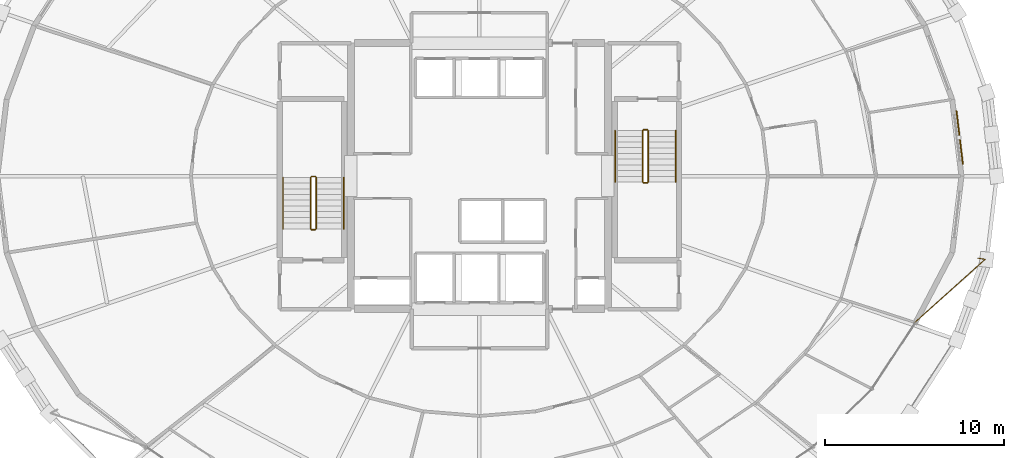
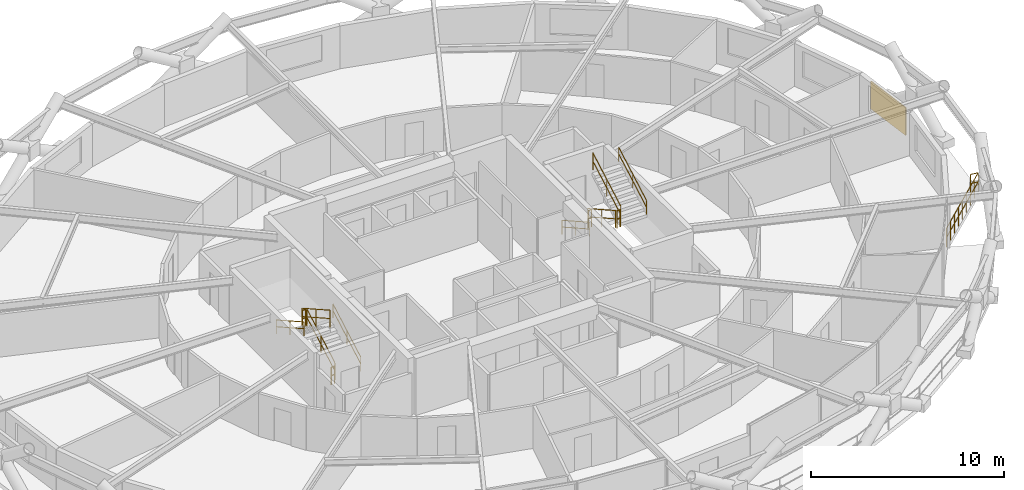
# One storey, part 21 of 21: 13 railings, 1 shading device.
"""IFC4 building model written with IfcOpenShell, lengths in metres."""

from ifc_helpers import new_model, si_unit, direction, frame, origin, origin_2d, place, context, subcontext, project, spatial, rectangle, circle, extrude, material, layer, layer_set, type_object, element, save


model = new_model("IFC4")

# Units and contexts
model_context = context("Model", 3, precision=1e-05, world=origin(), true_north=direction((0.0, 1.0)))
body_context = subcontext(model_context, "Body", "Model", "MODEL_VIEW")
ifc_project = project(units=[si_unit("LENGTHUNIT", "METRE"), si_unit("AREAUNIT", "SQUARE_METRE"), si_unit("VOLUMEUNIT", "CUBIC_METRE"), si_unit("PLANEANGLEUNIT", "RADIAN"), si_unit("MASSUNIT", "GRAM", prefix="KILO")], contexts=[model_context])

# Site, building, storey
site_placement = place(None, origin())
site = spatial("IfcSite", under=ifc_project, at=site_placement, CompositionType="ELEMENT")
building_placement = place(site_placement, origin())
building = spatial("IfcBuilding", under=site, at=building_placement, Name="Veldorina Hangang Commons", CompositionType="ELEMENT")
storey_placement = place(building_placement, frame((0.0, 0.0, 73.60009765625)))
storey = spatial("IfcBuildingStorey", under=building, at=storey_placement, Name="L18", CompositionType="ELEMENT", Elevation=73.60009765625)

# Railings
ifc_material_1 = material(Name="Glass Laminated Safety Balustrade", Category="glass")
railing_type_1 = type_object("IfcRailingType", Name="RL-BAL-LOGGIA", PredefinedType="BALUSTRADE", material=ifc_material_1)
railing_1_placement = place(storey_placement, frame((59.91259765625, 19.406494140625, 0.0)))
element("IfcRailing", 1, at=railing_1_placement, inside=storey, type_object=railing_type_1, Name="L18 sky-garden loggia end balustrade B", PredefinedType="BALUSTRADE", context=body_context, shape_type="SweptSolid", body=[
    extrude(circle(Radius=0.02392578125, at=origin_2d()), frame((0.0, 0.0, 1.17578125), z_axis=(0.986659757818, -0.162795952969, 0.0), x_axis=(0.162795952969, 0.986659757818, 0.0)), (0.0, 0.0, 1.0), 0.419921875),
    extrude(circle(Radius=0.02392578125, at=origin_2d()), frame((0.0, 0.0, 0.60009765625), z_axis=(0.986659757818, -0.162795952969, 0.0), x_axis=(0.162795952969, 0.986659757818, 0.0)), (0.0, 0.0, 1.0), 0.419921875),
    extrude(circle(Radius=0.02392578125, at=origin_2d()), frame((0.414306640625, -0.068359375, 1.17578125), z_axis=(-0.744282890781, -0.667864491114, 0.0), x_axis=(0.667864491114, -0.744282890781, 0.0)), (0.0, 0.0, 1.0), 5.287353515625),
    extrude(circle(Radius=0.02392578125, at=origin_2d()), frame((0.414306640625, -0.068359375, 0.60009765625), z_axis=(-0.744282890781, -0.667864491114, 0.0), x_axis=(0.667864491114, -0.744282890781, 0.0)), (0.0, 0.0, 1.0), 5.287353515625),
    extrude(circle(Radius=0.02099609375, at=origin_2d()), origin(), (0.0, 0.0, 1.0), 1.15185546875),
    extrude(circle(Radius=0.02099609375, at=origin_2d()), frame((0.414306640625, -0.068359375, 0.0)), (0.0, 0.0, 1.0), 1.15185546875),
    extrude(circle(Radius=0.02099609375, at=origin_2d()), frame((-0.07763671875, -0.509765625, 0.0)), (0.0, 0.0, 1.0), 1.15185546875),
    extrude(circle(Radius=0.02099609375, at=origin_2d()), frame((-0.569580078125, -0.951171875, 0.0)), (0.0, 0.0, 1.0), 1.15185546875),
    extrude(circle(Radius=0.02099609375, at=origin_2d()), frame((-1.0615234375, -1.392578125, 0.0)), (0.0, 0.0, 1.0), 1.15185546875),
    extrude(circle(Radius=0.02099609375, at=origin_2d()), frame((-1.55322265625, -1.833984375, 0.0)), (0.0, 0.0, 1.0), 1.15185546875),
    extrude(circle(Radius=0.02099609375, at=origin_2d()), frame((-2.045166015625, -2.275390625, 0.0)), (0.0, 0.0, 1.0), 1.15185546875),
    extrude(circle(Radius=0.02099609375, at=origin_2d()), frame((-2.537109375, -2.716796875, 0.0)), (0.0, 0.0, 1.0), 1.15185546875),
    extrude(circle(Radius=0.02099609375, at=origin_2d()), frame((-3.029052734375, -3.158203125, 0.0)), (0.0, 0.0, 1.0), 1.15185546875),
    extrude(circle(Radius=0.02099609375, at=origin_2d()), frame((-3.52099609375, -3.599609375, 0.0)), (0.0, 0.0, 1.0), 1.15185546875),
])
ifc_material_2 = material(Name="Steel Painted Balustrade", Category="steel")
railing_type_2 = type_object("IfcRailingType", Name="RL-GRD-STAIR", PredefinedType="GUARDRAIL", material=ifc_material_2)
railing_2_placement = place(storey_placement, frame((22.85009765625, 21.050048828125, 0.179931640625)))
element("IfcRailing", 2, at=railing_2_placement, inside=storey, type_object=railing_type_2, Name="L18 ST-1 stair guard 1", PredefinedType="GUARDRAIL", context=body_context, shape_type="SweptSolid", body=[
    extrude(circle(Radius=0.02392578125, at=origin_2d()), frame((0.0, 0.0, 1.076171875), z_axis=(0.0, 0.871583430097, 0.490247207417), x_axis=(-1.0, 0.0, 0.0)), (0.0, 0.0, 1.0), 3.30419921875),
    extrude(circle(Radius=0.02392578125, at=origin_2d()), frame((0.0, 0.0, 0.550048828125), z_axis=(0.0, 0.871583430097, 0.490247207417), x_axis=(-1.0, 0.0, 0.0)), (0.0, 0.0, 1.0), 3.30419921875),
    extrude(circle(Radius=0.02099609375, at=origin_2d()), origin(), (0.0, 0.0, 1.0), 1.052001953125),
    extrude(circle(Radius=0.02099609375, at=origin_2d()), frame((0.0, 1.43994140625, 0.81005859375)), (0.0, 0.0, 1.0), 1.052001953125),
    extrude(circle(Radius=0.02099609375, at=origin_2d()), frame((0.0, 2.8798828125, 1.619873046875)), (0.0, 0.0, 1.0), 1.052001953125),
])
railing_3_placement = place(storey_placement, frame((22.800048828125, 23.97998046875, 1.7998046875)))
element("IfcRailing", 3, at=railing_3_placement, inside=storey, type_object=railing_type_2, Name="L18 ST-1 stair guard 2", PredefinedType="GUARDRAIL", context=body_context, shape_type="SweptSolid", body=[
    extrude(circle(Radius=0.02392578125, at=origin_2d()), frame((0.0, 0.0, 1.076171875), z_axis=(-1.0, 0.0, 0.0), x_axis=(0.0, -1.0, 0.0)), (0.0, 0.0, 1.0), 0.199951171875),
    extrude(circle(Radius=0.02392578125, at=origin_2d()), frame((0.0, 0.0, 0.550048828125), z_axis=(-1.0, 0.0, 0.0), x_axis=(0.0, -1.0, 0.0)), (0.0, 0.0, 1.0), 0.199951171875),
    extrude(circle(Radius=0.02099609375, at=origin_2d()), origin(), (0.0, 0.0, 1.0), 1.052001953125),
    extrude(circle(Radius=0.02099609375, at=origin_2d()), frame((-0.199951171875, 0.0, 0.0)), (0.0, 0.0, 1.0), 1.052001953125),
])
railing_4_placement = place(storey_placement, frame((22.550048828125, 23.929931640625, 1.97998046875)))
element("IfcRailing", 4, at=railing_4_placement, inside=storey, type_object=railing_type_2, Name="L18 ST-1 stair guard 3", PredefinedType="GUARDRAIL", context=body_context, shape_type="SweptSolid", body=[
    extrude(circle(Radius=0.02392578125, at=origin_2d()), frame((0.0, 0.0, 1.076171875), z_axis=(0.0, -0.871583430097, 0.490247207417), x_axis=(1.0, 0.0, 0.0)), (0.0, 0.0, 1.0), 3.30419921875),
    extrude(circle(Radius=0.02392578125, at=origin_2d()), frame((0.0, 0.0, 0.550048828125), z_axis=(0.0, -0.871583430097, 0.490247207417), x_axis=(1.0, 0.0, 0.0)), (0.0, 0.0, 1.0), 3.30419921875),
    extrude(circle(Radius=0.02099609375, at=origin_2d()), origin(), (0.0, 0.0, 1.0), 1.052001953125),
    extrude(circle(Radius=0.02099609375, at=origin_2d()), frame((0.0, -1.43994140625, 0.81005859375)), (0.0, 0.0, 1.0), 1.052001953125),
    extrude(circle(Radius=0.02099609375, at=origin_2d()), frame((0.0, -2.8798828125, 1.619873046875)), (0.0, 0.0, 1.0), 1.052001953125),
])
railing_5_placement = place(storey_placement, frame((22.800048828125, 21.0, 0.0)))
element("IfcRailing", 5, at=railing_5_placement, inside=storey, type_object=railing_type_2, Name="L18 ST-1 stair guard 4", PredefinedType="GUARDRAIL", context=body_context, shape_type="SweptSolid", body=[
    extrude(circle(Radius=0.02392578125, at=origin_2d()), frame((0.0, 0.0, 1.076171875), z_axis=(-1.0, 0.0, 0.0), x_axis=(0.0, -1.0, 0.0)), (0.0, 0.0, 1.0), 0.199951171875),
    extrude(circle(Radius=0.02392578125, at=origin_2d()), frame((0.0, 0.0, 0.550048828125), z_axis=(-1.0, 0.0, 0.0), x_axis=(0.0, -1.0, 0.0)), (0.0, 0.0, 1.0), 0.199951171875),
    extrude(circle(Radius=0.02099609375, at=origin_2d()), origin(), (0.0, 0.0, 1.0), 1.052001953125),
    extrude(circle(Radius=0.02099609375, at=origin_2d()), frame((-0.199951171875, 0.0, 0.0)), (0.0, 0.0, 1.0), 1.052001953125),
])
railing_6_placement = place(storey_placement, frame((41.14990234375, 26.550048828125, 0.179931640625)))
element("IfcRailing", 6, at=railing_6_placement, inside=storey, type_object=railing_type_2, Name="L18 ST-2 stair guard 1", PredefinedType="GUARDRAIL", context=body_context, shape_type="SweptSolid", body=[
    extrude(circle(Radius=0.02392578125, at=origin_2d()), frame((0.0, 0.0, 1.076171875), z_axis=(0.0, -0.871601186807, 0.490215637405), x_axis=(1.0, 0.0, 0.0)), (0.0, 0.0, 1.0), 3.304443359375),
    extrude(circle(Radius=0.02392578125, at=origin_2d()), frame((0.0, 0.0, 0.550048828125), z_axis=(0.0, -0.871601186807, 0.490215637405), x_axis=(1.0, 0.0, 0.0)), (0.0, 0.0, 1.0), 3.304443359375),
    extrude(circle(Radius=0.02099609375, at=origin_2d()), origin(), (0.0, 0.0, 1.0), 1.052001953125),
    extrude(circle(Radius=0.02099609375, at=origin_2d()), frame((0.0, -1.43994140625, 0.81005859375)), (0.0, 0.0, 1.0), 1.052001953125),
    extrude(circle(Radius=0.02099609375, at=origin_2d()), frame((0.0, -2.880126953125, 1.619873046875)), (0.0, 0.0, 1.0), 1.052001953125),
])
railing_7_placement = place(storey_placement, frame((41.199951171875, 23.6201171875, 1.7998046875)))
element("IfcRailing", 7, at=railing_7_placement, inside=storey, type_object=railing_type_2, Name="L18 ST-2 stair guard 2", PredefinedType="GUARDRAIL", context=body_context, shape_type="SweptSolid", body=[
    extrude(circle(Radius=0.02392578125, at=origin_2d()), frame((0.0, 0.0, 1.076171875), z_axis=(1.0, 0.0, 0.0), x_axis=(0.0, 1.0, 0.0)), (0.0, 0.0, 1.0), 0.199951171875),
    extrude(circle(Radius=0.02392578125, at=origin_2d()), frame((0.0, 0.0, 0.550048828125), z_axis=(1.0, 0.0, 0.0), x_axis=(0.0, 1.0, 0.0)), (0.0, 0.0, 1.0), 0.199951171875),
    extrude(circle(Radius=0.02099609375, at=origin_2d()), origin(), (0.0, 0.0, 1.0), 1.052001953125),
    extrude(circle(Radius=0.02099609375, at=origin_2d()), frame((0.199951171875, 0.0, 0.0)), (0.0, 0.0, 1.0), 1.052001953125),
])
railing_8_placement = place(storey_placement, frame((41.449951171875, 23.669921875, 1.97998046875)))
element("IfcRailing", 8, at=railing_8_placement, inside=storey, type_object=railing_type_2, Name="L18 ST-2 stair guard 3", PredefinedType="GUARDRAIL", context=body_context, shape_type="SweptSolid", body=[
    extrude(circle(Radius=0.02392578125, at=origin_2d()), frame((0.0, 0.0, 1.076171875), z_axis=(0.0, 0.871601186807, 0.490215637405), x_axis=(-1.0, 0.0, 0.0)), (0.0, 0.0, 1.0), 3.304443359375),
    extrude(circle(Radius=0.02392578125, at=origin_2d()), frame((0.0, 0.0, 0.550048828125), z_axis=(0.0, 0.871601186807, 0.490215637405), x_axis=(-1.0, 0.0, 0.0)), (0.0, 0.0, 1.0), 3.304443359375),
    extrude(circle(Radius=0.02099609375, at=origin_2d()), origin(), (0.0, 0.0, 1.0), 1.052001953125),
    extrude(circle(Radius=0.02099609375, at=origin_2d()), frame((0.0, 1.43994140625, 0.81005859375)), (0.0, 0.0, 1.0), 1.052001953125),
    extrude(circle(Radius=0.02099609375, at=origin_2d()), frame((0.0, 2.880126953125, 1.619873046875)), (0.0, 0.0, 1.0), 1.052001953125),
])
railing_9_placement = place(storey_placement, frame((41.199951171875, 26.60009765625, 0.0)))
element("IfcRailing", 9, at=railing_9_placement, inside=storey, type_object=railing_type_2, Name="L18 ST-2 stair guard 4", PredefinedType="GUARDRAIL", context=body_context, shape_type="SweptSolid", body=[
    extrude(circle(Radius=0.02392578125, at=origin_2d()), frame((0.0, 0.0, 1.076171875), z_axis=(1.0, 0.0, 0.0), x_axis=(0.0, 1.0, 0.0)), (0.0, 0.0, 1.0), 0.199951171875),
    extrude(circle(Radius=0.02392578125, at=origin_2d()), frame((0.0, 0.0, 0.550048828125), z_axis=(1.0, 0.0, 0.0), x_axis=(0.0, 1.0, 0.0)), (0.0, 0.0, 1.0), 0.199951171875),
    extrude(circle(Radius=0.02099609375, at=origin_2d()), origin(), (0.0, 0.0, 1.0), 1.052001953125),
    extrude(circle(Radius=0.02099609375, at=origin_2d()), frame((0.199951171875, 0.0, 0.0)), (0.0, 0.0, 1.0), 1.052001953125),
])
ifc_material_3 = material(Name="Stainless Steel Brushed 316", Category="steel")
railing_type_3 = type_object("IfcRailingType", Name="RL-HND-STAIR", PredefinedType="HANDRAIL", material=ifc_material_3)
railing_10_placement = place(storey_placement, frame((24.39990234375, 21.050048828125, 0.179931640625)))
element("IfcRailing", 10, at=railing_10_placement, inside=storey, type_object=railing_type_3, Name="L18 ST-1 stair handrail 1", PredefinedType="HANDRAIL", context=body_context, shape_type="SweptSolid", body=[
    extrude(circle(Radius=0.02392578125, at=origin_2d()), frame((0.0, 0.0, 0.8759765625), z_axis=(0.0, 0.871583430097, 0.490247207417), x_axis=(-1.0, 0.0, 0.0)), (0.0, 0.0, 1.0), 3.30419921875),
    extrude(circle(Radius=0.02392578125, at=origin_2d()), frame((0.0, 0.0, 0.449951171875), z_axis=(0.0, 0.871583430097, 0.490247207417), x_axis=(-1.0, 0.0, 0.0)), (0.0, 0.0, 1.0), 3.30419921875),
    extrude(circle(Radius=0.02099609375, at=origin_2d()), origin(), (0.0, 0.0, 1.0), 0.851806640625),
    extrude(circle(Radius=0.02099609375, at=origin_2d()), frame((0.0, 1.43994140625, 0.81005859375)), (0.0, 0.0, 1.0), 0.851806640625),
    extrude(circle(Radius=0.02099609375, at=origin_2d()), frame((0.0, 2.8798828125, 1.619873046875)), (0.0, 0.0, 1.0), 0.851806640625),
])
railing_11_placement = place(storey_placement, frame((21.0, 23.929931640625, 1.97998046875)))
element("IfcRailing", 11, at=railing_11_placement, inside=storey, type_object=railing_type_3, Name="L18 ST-1 stair handrail 2", PredefinedType="HANDRAIL", context=body_context, shape_type="SweptSolid", body=[
    extrude(circle(Radius=0.02392578125, at=origin_2d()), frame((0.0, 0.0, 0.8759765625), z_axis=(0.0, -0.871583430097, 0.490247207417), x_axis=(1.0, 0.0, 0.0)), (0.0, 0.0, 1.0), 3.30419921875),
    extrude(circle(Radius=0.02392578125, at=origin_2d()), frame((0.0, 0.0, 0.449951171875), z_axis=(0.0, -0.871583430097, 0.490247207417), x_axis=(1.0, 0.0, 0.0)), (0.0, 0.0, 1.0), 3.30419921875),
    extrude(circle(Radius=0.02099609375, at=origin_2d()), origin(), (0.0, 0.0, 1.0), 0.851806640625),
    extrude(circle(Radius=0.02099609375, at=origin_2d()), frame((0.0, -1.43994140625, 0.81005859375)), (0.0, 0.0, 1.0), 0.851806640625),
    extrude(circle(Radius=0.02099609375, at=origin_2d()), frame((0.0, -2.8798828125, 1.619873046875)), (0.0, 0.0, 1.0), 0.851806640625),
])
railing_12_placement = place(storey_placement, frame((39.60009765625, 26.550048828125, 0.179931640625)))
element("IfcRailing", 12, at=railing_12_placement, inside=storey, type_object=railing_type_3, Name="L18 ST-2 stair handrail 1", PredefinedType="HANDRAIL", context=body_context, shape_type="SweptSolid", body=[
    extrude(circle(Radius=0.02392578125, at=origin_2d()), frame((0.0, 0.0, 0.8759765625), z_axis=(0.0, -0.871601186807, 0.490215637405), x_axis=(1.0, 0.0, 0.0)), (0.0, 0.0, 1.0), 3.304443359375),
    extrude(circle(Radius=0.02392578125, at=origin_2d()), frame((0.0, 0.0, 0.449951171875), z_axis=(0.0, -0.871601186807, 0.490215637405), x_axis=(1.0, 0.0, 0.0)), (0.0, 0.0, 1.0), 3.304443359375),
    extrude(circle(Radius=0.02099609375, at=origin_2d()), origin(), (0.0, 0.0, 1.0), 0.851806640625),
    extrude(circle(Radius=0.02099609375, at=origin_2d()), frame((0.0, -1.43994140625, 0.81005859375)), (0.0, 0.0, 1.0), 0.851806640625),
    extrude(circle(Radius=0.02099609375, at=origin_2d()), frame((0.0, -2.880126953125, 1.619873046875)), (0.0, 0.0, 1.0), 0.851806640625),
])
railing_13_placement = place(storey_placement, frame((43.0, 23.669921875, 1.97998046875)))
element("IfcRailing", 13, at=railing_13_placement, inside=storey, type_object=railing_type_3, Name="L18 ST-2 stair handrail 2", PredefinedType="HANDRAIL", context=body_context, shape_type="SweptSolid", body=[
    extrude(circle(Radius=0.02392578125, at=origin_2d()), frame((0.0, 0.0, 0.8759765625), z_axis=(0.0, 0.871601186807, 0.490215637405), x_axis=(-1.0, 0.0, 0.0)), (0.0, 0.0, 1.0), 3.304443359375),
    extrude(circle(Radius=0.02392578125, at=origin_2d()), frame((0.0, 0.0, 0.449951171875), z_axis=(0.0, 0.871601186807, 0.490215637405), x_axis=(-1.0, 0.0, 0.0)), (0.0, 0.0, 1.0), 3.304443359375),
    extrude(circle(Radius=0.02099609375, at=origin_2d()), origin(), (0.0, 0.0, 1.0), 0.851806640625),
    extrude(circle(Radius=0.02099609375, at=origin_2d()), frame((0.0, 1.43994140625, 0.81005859375)), (0.0, 0.0, 1.0), 0.851806640625),
    extrude(circle(Radius=0.02099609375, at=origin_2d()), frame((0.0, 2.880126953125, 1.619873046875)), (0.0, 0.0, 1.0), 0.851806640625),
])

# Shading device
ifc_material_4 = material(Name="Ceramic Glazed Terracotta", Category="masonry")
ifc_layer = layer(ifc_material_4, 0.06005859375)
ifc_layer_set = layer_set([ifc_layer], Name="Ceramic Glazed Terracotta")
shading_device_type = type_object("IfcShadingDeviceType", Name="SCR-CER-3000", PredefinedType="USERDEFINED", material=ifc_layer_set)
shading_device_placement = place(storey_placement, frame((58.90185546875, 26.165283203125, 0.75), z_axis=(0.0, 0.0, 1.0), x_axis=(-0.119980895395, 0.992776200732, 0.0)))
element("IfcShadingDevice", 14, at=shading_device_placement, inside=storey, type_object=shading_device_type, Name="L18 PERFORATED CERAMIC SOLAR SCREEN 00", ObjectType="SCREEN", PredefinedType="USERDEFINED", context=body_context, shape_type="SweptSolid", body=[
    extrude(rectangle(XDim=3.0, YDim=0.06005859375, at=origin_2d()), origin(), (0.0, 0.0, 1.0), 1.75),
])

save(model, "model.ifc")
